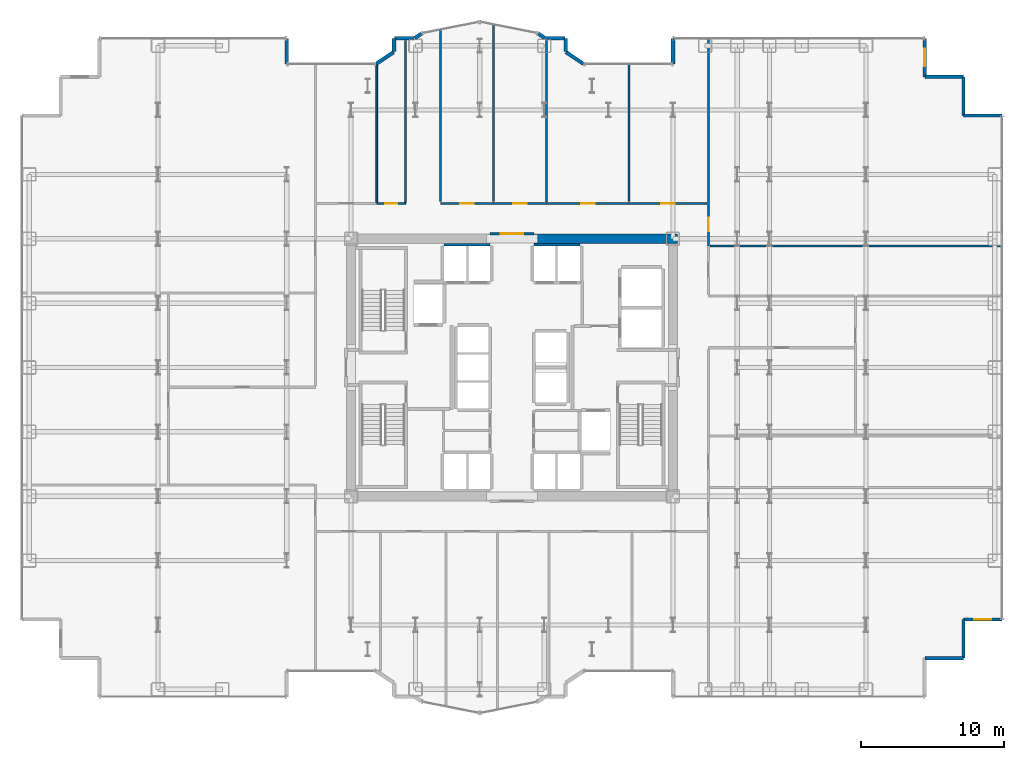
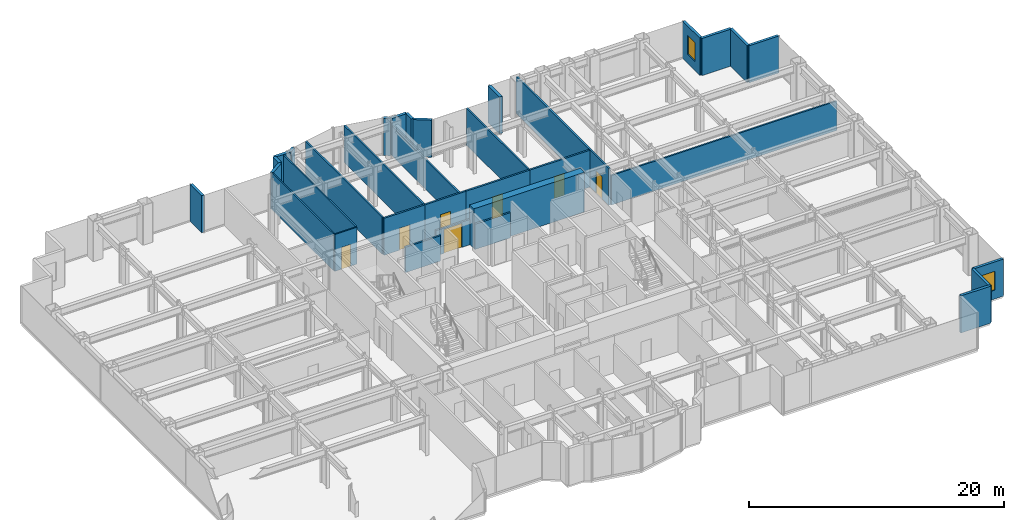
# One storey, part 24 of 26: 34 walls, 7 doors, 2 windows, 9 openings.
"""IFC4 building model written with IfcOpenShell, lengths in metres."""

from ifc_helpers import new_model, si_unit, direction, frame, frame_2d, origin, place, context, subcontext, project, spatial, rectangle, extrude, source, transform, mapped, material, layer, layer_set, type_object, element, fill, save


model = new_model("IFC4")

# Units and contexts
model_context = context("Model", 3, precision=1e-05, world=origin(), true_north=direction((0.0, 1.0)))
body_context = subcontext(model_context, "Body", "Model", "MODEL_VIEW")
ifc_project = project(units=[si_unit("LENGTHUNIT", "METRE"), si_unit("AREAUNIT", "SQUARE_METRE"), si_unit("VOLUMEUNIT", "CUBIC_METRE"), si_unit("PLANEANGLEUNIT", "RADIAN"), si_unit("MASSUNIT", "GRAM", prefix="KILO")], contexts=[model_context])

# Site, building, storey
site_placement = place(None, origin())
site = spatial("IfcSite", under=ifc_project, at=site_placement, CompositionType="ELEMENT")
building_placement = place(site_placement, origin())
building = spatial("IfcBuilding", under=site, at=building_placement, Name="Nefas-Gora Pilgrimage Tower", CompositionType="ELEMENT")
storey_placement = place(building_placement, frame((0.0, 0.0, 40.60009765625)))
storey = spatial("IfcBuildingStorey", under=building, at=storey_placement, Name="L08", CompositionType="ELEMENT", Elevation=40.60009765625)

# Walls
ifc_material_1 = material(Name="Concrete C60/75", Category="concrete")
ifc_layer_1 = layer(ifc_material_1, 0.64990234375)
ifc_layer_set_1 = layer_set([ifc_layer_1], Name="Concrete C60/75")
wall_type_1 = type_object("IfcWallType", Name="SW-CORE-650", PredefinedType="SHEAR", material=ifc_layer_set_1)
shared_shape_1 = source(origin(), body_context, "Body", "SweptSolid", [
    extrude(rectangle(XDim=10.02490234375, YDim=0.64990234375, at=frame_2d((5.012451171875, 0.0))), origin(), (0.0, 0.0, 1.0), 3.7998046875),
])
wall_1_placement = place(storey_placement, frame((1.550048828125, 9.0, 0.0), z_axis=(0.0, 0.0, 1.0), x_axis=(1.0, 0.0, 0.0)))
element("IfcWall", 1, at=wall_1_placement, inside=storey, type_object=wall_type_1, Name="L08 Core Shear Wall N-East", PredefinedType="SHEAR", context=body_context, shape_type="MappedRepresentation", body=[
    mapped(shared_shape_1, transform((0.0, 0.0, 0.0), x_axis=(1.0, 0.0, 0.0), y_axis=(0.0, 1.0, 0.0), z_axis=(0.0, 0.0, 1.0), scale=1.0)),
])
ifc_material_2 = material(Name="Precast concrete C40/50", Category="concrete")
ifc_layer_2 = layer(ifc_material_2, 0.260009765625)
ifc_layer_set_2 = layer_set([ifc_layer_2], Name="Precast concrete C40/50")
wall_type_2 = type_object("IfcWallType", Name="EW-PORTAL-260", PredefinedType="SOLIDWALL", material=ifc_layer_set_2)
shared_shape_2 = source(origin(), body_context, "Body", "SweptSolid", [
    extrude(rectangle(XDim=1.800048828125, YDim=0.260009765625, at=frame_2d((0.89990234375, 0.0))), origin(), (0.0, 0.0, 1.0), 3.5498046875),
])
for number, where, z_axis, x_axis, name in (
    (2, (11.25, 23.02001953125, 0.0), (0.0, 0.0, 1.0), (0.0, -1.0, 0.0), "L08 Lobe Shoulder Precast Spandrel Pier 10"),
    (3, (-15.75, 21.219970703125, 0.0), (0.0, 0.0, 1.0), (0.0, 1.0, 0.0), "L08 Lobe Shoulder Precast Spandrel Pier 19"),
):
    element("IfcWall", number, at=place(storey_placement, frame(where, z_axis=z_axis, x_axis=x_axis)), inside=storey, type_object=wall_type_2, Name=name, PredefinedType="SOLIDWALL", context=body_context, shape_type="MappedRepresentation", body=[
        mapped(shared_shape_2, transform((0.0, 0.0, 0.0), x_axis=(1.0, 0.0, 0.0), y_axis=(0.0, 1.0, 0.0), z_axis=(0.0, 0.0, 1.0), scale=1.0)),
    ])
ifc_material_3 = material(Name="Precast concrete C45/55", Category="concrete")
ifc_layer_3 = layer(ifc_material_3, 0.239990234375)
ifc_layer_set_3 = layer_set([ifc_layer_3], Name="Precast concrete C45/55")
wall_type_3 = type_object("IfcWallType", Name="EW-SERR-240", PredefinedType="SHEAR", material=ifc_layer_set_3)
shared_shape_3 = source(origin(), body_context, "Body", "SweptSolid", [
    extrude(rectangle(XDim=2.699951171875, YDim=0.239990234375, at=frame_2d((1.35009765625, 0.0))), origin(), (0.0, 0.0, 1.0), 3.5498046875),
])
for number, where, z_axis, x_axis, name in (
    (4, (28.8701171875, -20.320068359375, 0.0), (0.0, 0.0, 1.0), (1.0, 0.0, 0.0), "L08 Serrated Corner Shear Pier Wall 3"),
    (5, (31.570068359375, -20.320068359375, 0.0), (0.0, 0.0, 1.0), (0.0, 1.0, 0.0), "L08 Serrated Corner Shear Pier Wall 4"),
):
    element("IfcWall", number, at=place(storey_placement, frame(where, z_axis=z_axis, x_axis=x_axis)), inside=storey, type_object=wall_type_3, Name=name, PredefinedType="SHEAR", context=body_context, shape_type="MappedRepresentation", body=[
        mapped(shared_shape_3, transform((0.0, 0.0, 0.0), x_axis=(1.0, 0.0, 0.0), y_axis=(0.0, 1.0, 0.0), z_axis=(0.0, 0.0, 1.0), scale=1.0)),
    ])

# Wall, opening, window
wall_2_placement = place(storey_placement, frame((31.570068359375, -17.6201171875, 0.0), z_axis=(0.0, 0.0, 1.0), x_axis=(1.0, 0.0, 0.0)))
wall_2 = element("IfcWall", 6, at=wall_2_placement, inside=storey, type_object=wall_type_3, Name="L08 Serrated Corner Shear Pier Wall 5", PredefinedType="SHEAR", context=body_context, shape_type="MappedRepresentation", body=[
    mapped(shared_shape_3, transform((0.0, 0.0, 0.0), x_axis=(1.0, 0.0, 0.0), y_axis=(0.0, 1.0, 0.0), z_axis=(0.0, 0.0, 1.0), scale=1.0)),
])
opening_1_placement = place(wall_2_placement, frame((0.75, 0.0, 0.85009765625)))
opening_1 = element("IfcOpeningElement", 7, at=opening_1_placement, cuts=wall_2, Name="Opening W-V1", PredefinedType="OPENING", context=body_context, shape_type="SweptSolid", body=[
    extrude(rectangle(XDim=1.199951171875, YDim=1.800048828125, at=frame_2d((0.60009765625, 0.89990234375))), frame((0.0, 0.1298828125, 0.0), z_axis=(0.0, -1.0, 0.0), x_axis=(1.0, 0.0, 0.0)), (0.0, 0.0, 1.0), 0.260009765625),
])
ifc_material_4 = material(Name="Dark ceramic-fritted operable aluminium-glass window", Category="aluminium")
window_type = type_object("IfcWindowType", Name="WIN-VENT-1200x1800", PartitioningType="SINGLE_PANEL", PredefinedType="WINDOW", material=ifc_material_4)
shared_shape_4 = source(origin(), body_context, "Body", "SweptSolid", [
    extrude(rectangle(XDim=1.199951171875, YDim=1.800048828125, at=frame_2d((0.60009765625, 0.89990234375))), frame((0.0, 0.030029296875, 0.0), z_axis=(0.0, -1.0, 0.0), x_axis=(1.0, 0.0, 0.0)), (0.0, 0.0, 1.0), 0.06005859375),
])
window_1_placement = place(opening_1_placement, origin())
window_1 = element("IfcWindow", 8, at=window_1_placement, inside=storey, type_object=window_type, Name="L08 Operable Parallel-Outswing Window 5", OverallHeight=1.800048828125, OverallWidth=1.199951171875, PartitioningType="SINGLE_PANEL", PredefinedType="WINDOW", context=body_context, shape_type="MappedRepresentation", body=[
    mapped(shared_shape_4, transform((0.0, 0.0, 0.0), x_axis=(1.0, 0.0, 0.0), y_axis=(0.0, 1.0, 0.0), z_axis=(0.0, 0.0, 1.0), scale=1.0)),
])
fill(opening_1, window_1)

# Walls
for number, where, z_axis, x_axis, name in (
    (9, (34.27001953125, 17.6201171875, 0.0), (0.0, 0.0, 1.0), (-1.0, 0.0, 0.0), "L08 Serrated Corner Shear Pier Wall 6"),
    (10, (31.570068359375, 17.6201171875, 0.0), (0.0, 0.0, 1.0), (0.0, 1.0, 0.0), "L08 Serrated Corner Shear Pier Wall 7"),
    (11, (31.570068359375, 20.320068359375, 0.0), (0.0, 0.0, 1.0), (-1.0, 0.0, 0.0), "L08 Serrated Corner Shear Pier Wall 8"),
):
    element("IfcWall", number, at=place(storey_placement, frame(where, z_axis=z_axis, x_axis=x_axis)), inside=storey, type_object=wall_type_3, Name=name, PredefinedType="SHEAR", context=body_context, shape_type="MappedRepresentation", body=[
        mapped(shared_shape_3, transform((0.0, 0.0, 0.0), x_axis=(1.0, 0.0, 0.0), y_axis=(0.0, 1.0, 0.0), z_axis=(0.0, 0.0, 1.0), scale=1.0)),
    ])

# Wall, opening, window
wall_3_placement = place(storey_placement, frame((28.8701171875, 20.320068359375, 0.0), z_axis=(0.0, 0.0, 1.0), x_axis=(0.0, 1.0, 0.0)))
wall_3 = element("IfcWall", 12, at=wall_3_placement, inside=storey, type_object=wall_type_3, Name="L08 Serrated Corner Shear Pier Wall 9", PredefinedType="SHEAR", context=body_context, shape_type="MappedRepresentation", body=[
    mapped(shared_shape_3, transform((0.0, 0.0, 0.0), x_axis=(1.0, 0.0, 0.0), y_axis=(0.0, 1.0, 0.0), z_axis=(0.0, 0.0, 1.0), scale=1.0)),
])
opening_2_placement = place(wall_3_placement, frame((0.75, 0.0, 0.85009765625)))
opening_2 = element("IfcOpeningElement", 13, at=opening_2_placement, cuts=wall_3, Name="Opening W-V1", PredefinedType="OPENING", context=body_context, shape_type="SweptSolid", body=[
    extrude(rectangle(XDim=1.199951171875, YDim=1.800048828125, at=frame_2d((0.60009765625, 0.89990234375))), frame((0.0, 0.1298828125, 0.0), z_axis=(0.0, -1.0, 0.0), x_axis=(1.0, 0.0, 0.0)), (0.0, 0.0, 1.0), 0.260009765625),
])
window_2_placement = place(opening_2_placement, origin())
window_2 = element("IfcWindow", 14, at=window_2_placement, inside=storey, type_object=window_type, Name="L08 Operable Parallel-Outswing Window 9", OverallHeight=1.800048828125, OverallWidth=1.199951171875, PartitioningType="SINGLE_PANEL", PredefinedType="WINDOW", context=body_context, shape_type="MappedRepresentation", body=[
    mapped(shared_shape_4, transform((0.0, 0.0, 0.0), x_axis=(1.0, 0.0, 0.0), y_axis=(0.0, 1.0, 0.0), z_axis=(0.0, 0.0, 1.0), scale=1.0)),
])
fill(opening_2, window_2)

# Walls
shared_shape_5 = source(origin(), body_context, "Body", "SweptSolid", [
    extrude(rectangle(XDim=1.468994140625, YDim=0.260009765625, at=frame_2d((0.734375, 0.0))), origin(), (0.0, 0.0, 1.0), 3.5498046875),
])
for number, where, z_axis, x_axis, name in (
    (15, (4.99462890625, 21.235595703125, 0.0), (0.0, 0.0, 1.0), (-0.831461760506, 0.555581983884, 0.0), "L08 Lobe Shoulder Precast Spandrel Pier 11"),
    (16, (-8.273193359375, 22.0517578125, 0.0), (0.0, 0.0, 1.0), (-0.831461760506, -0.555581983884, 0.0), "L08 Lobe Shoulder Precast Spandrel Pier 18"),
):
    element("IfcWall", number, at=place(storey_placement, frame(where, z_axis=z_axis, x_axis=x_axis)), inside=storey, type_object=wall_type_2, Name=name, PredefinedType="SOLIDWALL", context=body_context, shape_type="MappedRepresentation", body=[
        mapped(shared_shape_5, transform((0.0, 0.0, 0.0), x_axis=(1.0, 0.0, 0.0), y_axis=(0.0, 1.0, 0.0), z_axis=(0.0, 0.0, 1.0), scale=1.0)),
    ])
shared_shape_6 = source(origin(), body_context, "Body", "SweptSolid", [
    extrude(rectangle(XDim=0.896728515625, YDim=0.260009765625, at=frame_2d((0.4482421875, 0.0))), origin(), (0.0, 0.0, 1.0), 3.5498046875),
])
for number, where, z_axis, x_axis, name in (
    (17, (3.75, 22.09521484375, 0.0), (0.0, 0.0, 1.0), (0.0, 1.0, 0.0), "L08 Lobe Shoulder Precast Spandrel Pier 12"),
    (18, (-8.25, 22.991943359375, 0.0), (0.0, 0.0, 1.0), (0.0, -1.0, 0.0), "L08 Lobe Shoulder Precast Spandrel Pier 17"),
):
    element("IfcWall", number, at=place(storey_placement, frame(where, z_axis=z_axis, x_axis=x_axis)), inside=storey, type_object=wall_type_2, Name=name, PredefinedType="SOLIDWALL", context=body_context, shape_type="MappedRepresentation", body=[
        mapped(shared_shape_6, transform((0.0, 0.0, 0.0), x_axis=(1.0, 0.0, 0.0), y_axis=(0.0, 1.0, 0.0), z_axis=(0.0, 0.0, 1.0), scale=1.0)),
    ])
shared_shape_7 = source(origin(), body_context, "Body", "SweptSolid", [
    extrude(rectangle(XDim=1.369873046875, YDim=0.260009765625, at=frame_2d((0.68505859375, 0.0))), origin(), (0.0, 0.0, 1.0), 3.5498046875),
])
for number, where, z_axis, x_axis, name in (
    (19, (3.721923828125, 23.02001953125, 0.0), (0.0, 0.0, 1.0), (-1.0, 0.0, 0.0), "L08 Lobe Shoulder Precast Spandrel Pier 13"),
    (20, (-6.85205078125, 23.02001953125, 0.0), (0.0, 0.0, 1.0), (-1.0, 0.0, 0.0), "L08 Lobe Shoulder Precast Spandrel Pier 16"),
):
    element("IfcWall", number, at=place(storey_placement, frame(where, z_axis=z_axis, x_axis=x_axis)), inside=storey, type_object=wall_type_2, Name=name, PredefinedType="SOLIDWALL", context=body_context, shape_type="MappedRepresentation", body=[
        mapped(shared_shape_7, transform((0.0, 0.0, 0.0), x_axis=(1.0, 0.0, 0.0), y_axis=(0.0, 1.0, 0.0), z_axis=(0.0, 0.0, 1.0), scale=1.0)),
    ])
shared_shape_8 = source(origin(), body_context, "Body", "SweptSolid", [
    extrude(rectangle(XDim=0.5654296875, YDim=0.260009765625, at=frame_2d((0.28271484375, 0.0))), origin(), (0.0, 0.0, 1.0), 3.5498046875),
])
for number, where, z_axis, x_axis, name in (
    (21, (2.30078125, 23.03564453125, 0.0), (0.0, 0.0, 1.0), (-0.831651492666, 0.555297933317, 0.0), "L08 Lobe Shoulder Precast Spandrel Pier 14"),
    (22, (-6.33056640625, 23.349609375, 0.0), (0.0, 0.0, 1.0), (-0.831651492666, -0.555297933317, 0.0), "L08 Lobe Shoulder Precast Spandrel Pier 15"),
):
    element("IfcWall", number, at=place(storey_placement, frame(where, z_axis=z_axis, x_axis=x_axis)), inside=storey, type_object=wall_type_2, Name=name, PredefinedType="SOLIDWALL", context=body_context, shape_type="MappedRepresentation", body=[
        mapped(shared_shape_8, transform((0.0, 0.0, 0.0), x_axis=(1.0, 0.0, 0.0), y_axis=(0.0, 1.0, 0.0), z_axis=(0.0, 0.0, 1.0), scale=1.0)),
    ])
ifc_material_5 = material(Name="Gypsum acoustic stud partition")
ifc_layer_4 = layer(ifc_material_5, 0.159912109375)
ifc_layer_set_4 = layer_set([ifc_layer_4], Name="Gypsum acoustic stud partition")
wall_type_4 = type_object("IfcWallType", Name="IW-CORR-160", PredefinedType="PARTITIONING", material=ifc_layer_set_4)
shared_shape_9 = source(origin(), body_context, "Body", "SweptSolid", [
    extrude(rectangle(XDim=3.199951171875, YDim=0.159912109375, at=frame_2d((1.60009765625, 0.0))), origin(), (0.0, 0.0, 1.0), 2.4248046875),
])
for number, where, z_axis, x_axis, name in (
    (23, (-1.550048828125, 8.580078125, 0.0), (0.0, 0.0, 1.0), (-1.0, 0.0, 0.0), "L08 Hoistway Wall PL1-W-N"),
    (24, (4.75, 8.580078125, 0.0), (0.0, 0.0, 1.0), (-1.0, 0.0, 0.0), "L08 Hoistway Wall PL1-E-N"),
):
    element("IfcWall", number, at=place(storey_placement, frame(where, z_axis=z_axis, x_axis=x_axis)), inside=storey, type_object=wall_type_4, Name=name, PredefinedType="PARTITIONING", context=body_context, shape_type="MappedRepresentation", body=[
        mapped(shared_shape_9, transform((0.0, 0.0, 0.0), x_axis=(1.0, 0.0, 0.0), y_axis=(0.0, 1.0, 0.0), z_axis=(0.0, 0.0, 1.0), scale=1.0)),
    ])

# Wall, opening, door
ifc_material_6 = material(Name="Moisture-resistant fire-rated gypsum partition")
ifc_layer_5 = layer(ifc_material_6, 0.1201171875)
ifc_layer_set_5 = layer_set([ifc_layer_5], Name="Moisture-resistant fire-rated gypsum partition")
wall_type_5 = type_object("IfcWallType", Name="IW-WET-120", PredefinedType="PLUMBINGWALL", material=ifc_layer_set_5)
shared_shape_10 = source(origin(), body_context, "Body", "SweptSolid", [
    extrude(rectangle(XDim=2.02001953125, YDim=0.1201171875, at=frame_2d((1.010009765625, 0.0))), origin(), (0.0, 0.0, 1.0), 3.534912109375),
])
wall_4_placement = place(storey_placement, frame((-9.4599609375, 11.469970703125, 0.0), z_axis=(0.0, 0.0, 1.0), x_axis=(1.0, 0.0, 0.0)))
wall_4 = element("IfcWall", 25, at=wall_4_placement, inside=storey, type_object=wall_type_5, Name="L08 Accessible Unisex WC Partition Wall 25", PredefinedType="PLUMBINGWALL", context=body_context, shape_type="MappedRepresentation", body=[
    mapped(shared_shape_10, transform((0.0, 0.0, 0.0), x_axis=(1.0, 0.0, 0.0), y_axis=(0.0, 1.0, 0.0), z_axis=(0.0, 0.0, 1.0), scale=1.0)),
])
opening_3_placement = place(wall_4_placement, frame((0.5849609375, 0.0, 0.0)))
opening_3 = element("IfcOpeningElement", 26, at=opening_3_placement, cuts=wall_4, Name="Opening ID-BT1", PredefinedType="OPENING", context=body_context, shape_type="SweptSolid", body=[
    extrude(rectangle(XDim=0.85009765625, YDim=2.10009765625, at=frame_2d((0.425048828125, 1.050048828125))), frame((0.0, 0.070068359375, 0.0), z_axis=(0.0, -1.0, 0.0), x_axis=(1.0, 0.0, 0.0)), (0.0, 0.0, 1.0), 0.14013671875),
])
ifc_material_7 = material(Name="Moisture-resistant fire-rated timber door", Category="wood")
door_type_1 = type_object("IfcDoorType", Name="DR-INT-BATH-850", OperationType="NOTDEFINED", PredefinedType="DOOR", material=ifc_material_7)
shared_shape_11 = source(origin(), body_context, "Body", "SweptSolid", [
    extrude(rectangle(XDim=0.85009765625, YDim=2.10009765625, at=frame_2d((0.425048828125, 1.050048828125))), frame((0.0, 0.02490234375, 0.0), z_axis=(0.0, -1.0, 0.0), x_axis=(1.0, 0.0, 0.0)), (0.0, 0.0, 1.0), 0.050048828125),
])
door_1_placement = place(opening_3_placement, origin())
door_1 = element("IfcDoor", 27, at=door_1_placement, inside=storey, type_object=door_type_1, Name="L08 Accessible Unisex WC Door 10", OperationType="SINGLE_SWING_RIGHT", OverallHeight=2.10009765625, OverallWidth=0.85009765625, PredefinedType="DOOR", context=body_context, shape_type="MappedRepresentation", body=[
    mapped(shared_shape_11, transform((0.0, 0.0, 0.0), x_axis=(1.0, 0.0, 0.0), y_axis=(0.0, 1.0, 0.0), z_axis=(0.0, 0.0, 1.0), scale=1.0)),
])
fill(opening_3, door_1)

# Walls
shared_shape_12 = source(origin(), body_context, "Body", "SweptSolid", [
    extrude(rectangle(XDim=11.280029296875, YDim=0.1201171875, at=frame_2d((5.64013671875, 0.0))), origin(), (0.0, 0.0, 1.0), 3.534912109375),
])
wall_5_placement = place(storey_placement, frame((-7.449951171875, 11.570068359375, 0.0), z_axis=(0.0, 0.0, 1.0), x_axis=(0.0, 1.0, 0.0)))
element("IfcWall", 28, at=wall_5_placement, inside=storey, type_object=wall_type_5, Name="L08 Accessible Unisex WC Partition Wall 26", PredefinedType="PLUMBINGWALL", context=body_context, shape_type="MappedRepresentation", body=[
    mapped(shared_shape_12, transform((0.0, 0.0, 0.0), x_axis=(1.0, 0.0, 0.0), y_axis=(0.0, 1.0, 0.0), z_axis=(0.0, 0.0, 1.0), scale=1.0)),
])
shared_shape_13 = source(origin(), body_context, "Body", "SweptSolid", [
    extrude(rectangle(XDim=9.586669921875, YDim=0.1201171875, at=frame_2d((4.79345703125, 0.0))), origin(), (0.0, 0.0, 1.0), 3.534912109375),
])
wall_6_placement = place(storey_placement, frame((-9.449951171875, 11.570068359375, 0.0), z_axis=(0.0, 0.0, 1.0), x_axis=(0.0, 1.0, 0.0)))
element("IfcWall", 29, at=wall_6_placement, inside=storey, type_object=wall_type_5, Name="L08 Accessible Unisex WC Partition Wall 27", PredefinedType="PLUMBINGWALL", context=body_context, shape_type="MappedRepresentation", body=[
    mapped(shared_shape_13, transform((0.0, 0.0, 0.0), x_axis=(1.0, 0.0, 0.0), y_axis=(0.0, 1.0, 0.0), z_axis=(0.0, 0.0, 1.0), scale=1.0)),
])

# Wall, opening, door
shared_shape_14 = source(origin(), body_context, "Body", "SweptSolid", [
    extrude(rectangle(XDim=14.544921875, YDim=0.159912109375, at=frame_2d((7.2724609375, 0.0))), origin(), (0.0, 0.0, 1.0), 3.534912109375),
])
wall_7_placement = place(storey_placement, frame((13.739990234375, 8.4951171875, 0.0), z_axis=(0.0, 0.0, 1.0), x_axis=(0.0, 1.0, 0.0)))
wall_7 = element("IfcWall", 30, at=wall_7_placement, inside=storey, type_object=wall_type_4, Name="L08 Pilgrim Contemplative Lounge Partition Wall 46", PredefinedType="PARTITIONING", context=body_context, shape_type="MappedRepresentation", body=[
    mapped(shared_shape_14, transform((0.0, 0.0, 0.0), x_axis=(1.0, 0.0, 0.0), y_axis=(0.0, 1.0, 0.0), z_axis=(0.0, 0.0, 1.0), scale=1.0)),
])
opening_4_placement = place(wall_7_placement, frame((1.032470703125, 0.0, 0.0)))
opening_4 = element("IfcOpeningElement", 31, at=opening_4_placement, cuts=wall_7, Name="Opening ID-GR1", PredefinedType="OPENING", context=body_context, shape_type="SweptSolid", body=[
    extrude(rectangle(XDim=0.949951171875, YDim=2.10009765625, at=frame_2d((0.47509765625, 1.050048828125))), frame((0.0, 0.08984375, 0.0), z_axis=(0.0, -1.0, 0.0), x_axis=(1.0, 0.0, 0.0)), (0.0, 0.0, 1.0), 0.179931640625),
])
ifc_material_8 = material(Name="Solid core oak fire-rated guest entrance door")
door_type_2 = type_object("IfcDoorType", Name="DR-INT-GUEST-950", OperationType="NOTDEFINED", PredefinedType="DOOR", material=ifc_material_8)
shared_shape_15 = source(origin(), body_context, "Body", "SweptSolid", [
    extrude(rectangle(XDim=0.949951171875, YDim=2.10009765625, at=frame_2d((0.47509765625, 1.050048828125))), frame((0.0, 0.02490234375, 0.0), z_axis=(0.0, -1.0, 0.0), x_axis=(1.0, 0.0, 0.0)), (0.0, 0.0, 1.0), 0.050048828125),
])
door_2_placement = place(opening_4_placement, origin())
door_2 = element("IfcDoor", 32, at=door_2_placement, inside=storey, type_object=door_type_2, Name="L08 Pilgrim Contemplative Lounge Door 20", OperationType="SINGLE_SWING_RIGHT", OverallHeight=2.10009765625, OverallWidth=0.949951171875, PredefinedType="DOOR", context=body_context, shape_type="MappedRepresentation", body=[
    mapped(shared_shape_15, transform((0.0, 0.0, 0.0), x_axis=(1.0, 0.0, 0.0), y_axis=(0.0, 1.0, 0.0), z_axis=(0.0, 0.0, 1.0), scale=1.0)),
])
fill(opening_4, door_2)

shared_shape_16 = source(origin(), body_context, "Body", "SweptSolid", [
    extrude(rectangle(XDim=3.704833984375, YDim=0.159912109375, at=frame_2d((1.8525390625, 0.0))), origin(), (0.0, 0.0, 1.0), 3.534912109375),
])
wall_8_placement = place(storey_placement, frame((-5.0048828125, 11.469970703125, 0.0), z_axis=(0.0, 0.0, 1.0), x_axis=(1.0, 0.0, 0.0)))
wall_8 = element("IfcWall", 33, at=wall_8_placement, inside=storey, type_object=wall_type_4, Name="L08 Pilgrim Contemplative Lounge Partition Wall 48", PredefinedType="PARTITIONING", context=body_context, shape_type="MappedRepresentation", body=[
    mapped(shared_shape_16, transform((0.0, 0.0, 0.0), x_axis=(1.0, 0.0, 0.0), y_axis=(0.0, 1.0, 0.0), z_axis=(0.0, 0.0, 1.0), scale=1.0)),
])
opening_5_placement = place(wall_8_placement, frame((1.37744140625, 0.0, 0.0)))
opening_5 = element("IfcOpeningElement", 34, at=opening_5_placement, cuts=wall_8, Name="Opening ID-GR1", PredefinedType="OPENING", context=body_context, shape_type="SweptSolid", body=[
    extrude(rectangle(XDim=0.949951171875, YDim=2.10009765625, at=frame_2d((0.47509765625, 1.050048828125))), frame((0.0, 0.08984375, 0.0), z_axis=(0.0, -1.0, 0.0), x_axis=(1.0, 0.0, 0.0)), (0.0, 0.0, 1.0), 0.179931640625),
])
door_3_placement = place(opening_5_placement, origin())
door_3 = element("IfcDoor", 35, at=door_3_placement, inside=storey, type_object=door_type_2, Name="L08 Pilgrim Contemplative Lounge Door 22", OperationType="SINGLE_SWING_RIGHT", OverallHeight=2.10009765625, OverallWidth=0.949951171875, PredefinedType="DOOR", context=body_context, shape_type="MappedRepresentation", body=[
    mapped(shared_shape_15, transform((0.0, 0.0, 0.0), x_axis=(1.0, 0.0, 0.0), y_axis=(0.0, 1.0, 0.0), z_axis=(0.0, 0.0, 1.0), scale=1.0)),
])
fill(opening_5, door_3)

# Walls
ifc_material_9 = material(Name="Gypsum twin-stud partition")
ifc_layer_6 = layer(ifc_material_9, 0.139892578125)
ifc_layer_set_6 = layer_set([ifc_layer_6], Name="Gypsum twin-stud partition")
wall_type_6 = type_object("IfcWallType", Name="IW-UNIT-140", PredefinedType="PARTITIONING", material=ifc_layer_set_6)
shared_shape_17 = source(origin(), body_context, "Body", "SweptSolid", [
    extrude(rectangle(XDim=12.415771484375, YDim=0.139892578125, at=frame_2d((6.2080078125, 0.0))), origin(), (0.0, 0.0, 1.0), 3.534912109375),
])
wall_9_placement = place(storey_placement, frame((-1.31005859375, 11.590087890625, 0.0), z_axis=(0.0, 0.0, 1.0), x_axis=(0.0, 1.0, 0.0)))
element("IfcWall", 36, at=wall_9_placement, inside=storey, type_object=wall_type_6, Name="L08 Pilgrim Contemplative Lounge Partition Wall 49", PredefinedType="PARTITIONING", context=body_context, shape_type="MappedRepresentation", body=[
    mapped(shared_shape_17, transform((0.0, 0.0, 0.0), x_axis=(1.0, 0.0, 0.0), y_axis=(0.0, 1.0, 0.0), z_axis=(0.0, 0.0, 1.0), scale=1.0)),
])
shared_shape_18 = source(origin(), body_context, "Body", "SweptSolid", [
    extrude(rectangle(XDim=12.056640625, YDim=0.139892578125, at=frame_2d((6.0283203125, 0.0))), origin(), (0.0, 0.0, 1.0), 3.534912109375),
])
wall_10_placement = place(storey_placement, frame((-4.9951171875, 11.590087890625, 0.0), z_axis=(0.0, 0.0, 1.0), x_axis=(0.0, 1.0, 0.0)))
element("IfcWall", 37, at=wall_10_placement, inside=storey, type_object=wall_type_6, Name="L08 Pilgrim Contemplative Lounge Partition Wall 50", PredefinedType="PARTITIONING", context=body_context, shape_type="MappedRepresentation", body=[
    mapped(shared_shape_18, transform((0.0, 0.0, 0.0), x_axis=(1.0, 0.0, 0.0), y_axis=(0.0, 1.0, 0.0), z_axis=(0.0, 0.0, 1.0), scale=1.0)),
])

# Wall, opening, door
shared_shape_19 = source(origin(), body_context, "Body", "SweptSolid", [
    extrude(rectangle(XDim=3.705078125, YDim=0.159912109375, at=frame_2d((1.8525390625, 0.0))), origin(), (0.0, 0.0, 1.0), 3.534912109375),
])
wall_11_placement = place(storey_placement, frame((-1.300048828125, 11.469970703125, 0.0), z_axis=(0.0, 0.0, 1.0), x_axis=(1.0, 0.0, 0.0)))
wall_11 = element("IfcWall", 38, at=wall_11_placement, inside=storey, type_object=wall_type_4, Name="L08 Pilgrim Contemplative Lounge Partition Wall 51", PredefinedType="PARTITIONING", context=body_context, shape_type="MappedRepresentation", body=[
    mapped(shared_shape_19, transform((0.0, 0.0, 0.0), x_axis=(1.0, 0.0, 0.0), y_axis=(0.0, 1.0, 0.0), z_axis=(0.0, 0.0, 1.0), scale=1.0)),
])
opening_6_placement = place(wall_11_placement, frame((1.37744140625, 0.0, 0.0)))
opening_6 = element("IfcOpeningElement", 39, at=opening_6_placement, cuts=wall_11, Name="Opening ID-GR1", PredefinedType="OPENING", context=body_context, shape_type="SweptSolid", body=[
    extrude(rectangle(XDim=0.949951171875, YDim=2.10009765625, at=frame_2d((0.47509765625, 1.050048828125))), frame((0.0, 0.08984375, 0.0), z_axis=(0.0, -1.0, 0.0), x_axis=(1.0, 0.0, 0.0)), (0.0, 0.0, 1.0), 0.179931640625),
])
door_4_placement = place(opening_6_placement, origin())
door_4 = element("IfcDoor", 40, at=door_4_placement, inside=storey, type_object=door_type_2, Name="L08 Pilgrim Contemplative Lounge Door 23", OperationType="SINGLE_SWING_LEFT", OverallHeight=2.10009765625, OverallWidth=0.949951171875, PredefinedType="DOOR", context=body_context, shape_type="MappedRepresentation", body=[
    mapped(shared_shape_15, transform((0.0, 0.0, 0.0), x_axis=(1.0, 0.0, 0.0), y_axis=(0.0, 1.0, 0.0), z_axis=(0.0, 0.0, 1.0), scale=1.0)),
])
fill(opening_6, door_4)

# Wall
shared_shape_20 = source(origin(), body_context, "Body", "SweptSolid", [
    extrude(rectangle(XDim=11.260009765625, YDim=0.139892578125, at=frame_2d((5.6298828125, 0.0))), origin(), (0.0, 0.0, 1.0), 2.824951171875),
])
wall_12_placement = place(storey_placement, frame((2.39501953125, 11.590087890625, 0.0), z_axis=(0.0, 0.0, 1.0), x_axis=(0.0, 1.0, 0.0)))
element("IfcWall", 41, at=wall_12_placement, inside=storey, type_object=wall_type_6, Name="L08 Pilgrim Contemplative Lounge Partition Wall 52", PredefinedType="PARTITIONING", context=body_context, shape_type="MappedRepresentation", body=[
    mapped(shared_shape_20, transform((0.0, 0.0, 0.0), x_axis=(1.0, 0.0, 0.0), y_axis=(0.0, 1.0, 0.0), z_axis=(0.0, 0.0, 1.0), scale=1.0)),
])

# Wall, opening, door
shared_shape_21 = source(origin(), body_context, "Body", "SweptSolid", [
    extrude(rectangle(XDim=5.81005859375, YDim=0.159912109375, at=frame_2d((2.905029296875, 0.0))), origin(), (0.0, 0.0, 1.0), 3.534912109375),
])
wall_13_placement = place(storey_placement, frame((2.39501953125, 11.469970703125, 0.0), z_axis=(0.0, 0.0, 1.0), x_axis=(1.0, 0.0, 0.0)))
wall_13 = element("IfcWall", 42, at=wall_13_placement, inside=storey, type_object=wall_type_4, Name="L08 Pilgrim Contemplative Lounge Partition Wall 53", PredefinedType="PARTITIONING", context=body_context, shape_type="MappedRepresentation", body=[
    mapped(shared_shape_21, transform((0.0, 0.0, 0.0), x_axis=(1.0, 0.0, 0.0), y_axis=(0.0, 1.0, 0.0), z_axis=(0.0, 0.0, 1.0), scale=1.0)),
])
opening_7_placement = place(wall_13_placement, frame((2.429931640625, 0.0, 0.0)))
opening_7 = element("IfcOpeningElement", 43, at=opening_7_placement, cuts=wall_13, Name="Opening ID-GR1", PredefinedType="OPENING", context=body_context, shape_type="SweptSolid", body=[
    extrude(rectangle(XDim=0.949951171875, YDim=2.10009765625, at=frame_2d((0.47509765625, 1.050048828125))), frame((0.0, 0.08984375, 0.0), z_axis=(0.0, -1.0, 0.0), x_axis=(1.0, 0.0, 0.0)), (0.0, 0.0, 1.0), 0.179931640625),
])
door_5_placement = place(opening_7_placement, origin())
door_5 = element("IfcDoor", 44, at=door_5_placement, inside=storey, type_object=door_type_2, Name="L08 Pilgrim Contemplative Lounge Door 24", OperationType="SINGLE_SWING_RIGHT", OverallHeight=2.10009765625, OverallWidth=0.949951171875, PredefinedType="DOOR", context=body_context, shape_type="MappedRepresentation", body=[
    mapped(shared_shape_15, transform((0.0, 0.0, 0.0), x_axis=(1.0, 0.0, 0.0), y_axis=(0.0, 1.0, 0.0), z_axis=(0.0, 0.0, 1.0), scale=1.0)),
])
fill(opening_7, door_5)

# Wall
shared_shape_22 = source(origin(), body_context, "Body", "SweptSolid", [
    extrude(rectangle(XDim=9.64990234375, YDim=0.139892578125, at=frame_2d((4.824951171875, 0.0))), origin(), (0.0, 0.0, 1.0), 3.534912109375),
])
wall_14_placement = place(storey_placement, frame((8.195068359375, 11.590087890625, 0.0), z_axis=(0.0, 0.0, 1.0), x_axis=(0.0, 1.0, 0.0)))
element("IfcWall", 45, at=wall_14_placement, inside=storey, type_object=wall_type_6, Name="L08 Pilgrim Contemplative Lounge Partition Wall 54", PredefinedType="PARTITIONING", context=body_context, shape_type="MappedRepresentation", body=[
    mapped(shared_shape_22, transform((0.0, 0.0, 0.0), x_axis=(1.0, 0.0, 0.0), y_axis=(0.0, 1.0, 0.0), z_axis=(0.0, 0.0, 1.0), scale=1.0)),
])

# Wall, opening, door
shared_shape_23 = source(origin(), body_context, "Body", "SweptSolid", [
    extrude(rectangle(XDim=5.425048828125, YDim=0.159912109375, at=frame_2d((2.71240234375, 0.0))), origin(), (0.0, 0.0, 1.0), 3.534912109375),
])
wall_15_placement = place(storey_placement, frame((8.195068359375, 11.469970703125, 0.0), z_axis=(0.0, 0.0, 1.0), x_axis=(1.0, 0.0, 0.0)))
wall_15 = element("IfcWall", 46, at=wall_15_placement, inside=storey, type_object=wall_type_4, Name="L08 Pilgrim Contemplative Lounge Partition Wall 55", PredefinedType="PARTITIONING", context=body_context, shape_type="MappedRepresentation", body=[
    mapped(shared_shape_23, transform((0.0, 0.0, 0.0), x_axis=(1.0, 0.0, 0.0), y_axis=(0.0, 1.0, 0.0), z_axis=(0.0, 0.0, 1.0), scale=1.0)),
])
opening_8_placement = place(wall_15_placement, frame((2.237548828125, 0.0, 0.0)))
opening_8 = element("IfcOpeningElement", 47, at=opening_8_placement, cuts=wall_15, Name="Opening ID-GR1", PredefinedType="OPENING", context=body_context, shape_type="SweptSolid", body=[
    extrude(rectangle(XDim=0.949951171875, YDim=2.10009765625, at=frame_2d((0.47509765625, 1.050048828125))), frame((0.0, 0.08984375, 0.0), z_axis=(0.0, -1.0, 0.0), x_axis=(1.0, 0.0, 0.0)), (0.0, 0.0, 1.0), 0.179931640625),
])
door_6_placement = place(opening_8_placement, origin())
door_6 = element("IfcDoor", 48, at=door_6_placement, inside=storey, type_object=door_type_2, Name="L08 Pilgrim Contemplative Lounge Door 25", OperationType="SINGLE_SWING_LEFT", OverallHeight=2.10009765625, OverallWidth=0.949951171875, PredefinedType="DOOR", context=body_context, shape_type="MappedRepresentation", body=[
    mapped(shared_shape_15, transform((0.0, 0.0, 0.0), x_axis=(1.0, 0.0, 0.0), y_axis=(0.0, 1.0, 0.0), z_axis=(0.0, 0.0, 1.0), scale=1.0)),
])
fill(opening_8, door_6)

# Wall
shared_shape_24 = source(origin(), body_context, "Body", "SweptSolid", [
    extrude(rectangle(XDim=20.429931640625, YDim=0.139892578125, at=frame_2d((10.21484375, 0.0))), origin(), (0.0, 0.0, 1.0), 2.824951171875),
])
wall_16_placement = place(storey_placement, frame((13.860107421875, 8.4951171875, 0.0), z_axis=(0.0, 0.0, 1.0), x_axis=(1.0, 0.0, 0.0)))
element("IfcWall", 49, at=wall_16_placement, inside=storey, type_object=wall_type_6, Name="L08 Pilgrim Contemplative Lounge Partition Wall 45", PredefinedType="PARTITIONING", context=body_context, shape_type="MappedRepresentation", body=[
    mapped(shared_shape_24, transform((0.0, 0.0, 0.0), x_axis=(1.0, 0.0, 0.0), y_axis=(0.0, 1.0, 0.0), z_axis=(0.0, 0.0, 1.0), scale=1.0)),
])

# Wall, opening, door
shared_shape_25 = source(origin(), body_context, "Body", "SweptSolid", [
    extrude(rectangle(XDim=3.08984375, YDim=0.159912109375, at=frame_2d((1.544921875, 0.0))), origin(), (0.0, 0.0, 1.0), 2.4248046875),
])
wall_17_placement = place(storey_placement, frame((-1.544921875, 9.35009765625, 0.0), z_axis=(0.0, 0.0, 1.0), x_axis=(1.0, 0.0, 0.0)))
wall_17 = element("IfcWall", 50, at=wall_17_placement, inside=storey, type_object=wall_type_4, Name="L08 Central Lift Lobby North Portal Wall 13", PredefinedType="PARTITIONING", context=body_context, shape_type="MappedRepresentation", body=[
    mapped(shared_shape_25, transform((0.0, 0.0, 0.0), x_axis=(1.0, 0.0, 0.0), y_axis=(0.0, 1.0, 0.0), z_axis=(0.0, 0.0, 1.0), scale=1.0)),
])
opening_9_placement = place(wall_17_placement, frame((0.7451171875, 0.0, 0.0)))
opening_9 = element("IfcOpeningElement", 51, at=opening_9_placement, cuts=wall_17, Name="Opening ID-HL1", PredefinedType="OPENING", context=body_context, shape_type="SweptSolid", body=[
    extrude(rectangle(XDim=1.60009765625, YDim=2.300048828125, at=frame_2d((0.800048828125, 1.14990234375))), frame((0.0, 0.08984375, 0.0), z_axis=(0.0, -1.0, 0.0), x_axis=(1.0, 0.0, 0.0)), (0.0, 0.0, 1.0), 0.179931640625),
])
ifc_material_10 = material(Name="Double acoustic timber assembly hall door", Category="wood")
door_type_3 = type_object("IfcDoorType", Name="DR-INT-HALL-1600", OperationType="DOUBLE_DOOR_SINGLE_SWING", PredefinedType="DOOR", material=ifc_material_10)
shared_shape_26 = source(origin(), body_context, "Body", "SweptSolid", [
    extrude(rectangle(XDim=1.60009765625, YDim=2.300048828125, at=frame_2d((0.800048828125, 1.14990234375))), frame((0.0, 0.02490234375, 0.0), z_axis=(0.0, -1.0, 0.0), x_axis=(1.0, 0.0, 0.0)), (0.0, 0.0, 1.0), 0.050048828125),
])
door_7_placement = place(opening_9_placement, origin())
door_7 = element("IfcDoor", 52, at=door_7_placement, inside=storey, type_object=door_type_3, Name="L08 Central Lift Lobby North Portal Door 4", OperationType="DOUBLE_DOOR_SINGLE_SWING", OverallHeight=2.300048828125, OverallWidth=1.60009765625, PredefinedType="DOOR", context=body_context, shape_type="MappedRepresentation", body=[
    mapped(shared_shape_26, transform((0.0, 0.0, 0.0), x_axis=(1.0, 0.0, 0.0), y_axis=(0.0, 1.0, 0.0), z_axis=(0.0, 0.0, 1.0), scale=1.0)),
])
fill(opening_9, door_7)

save(model, "model.ifc")
